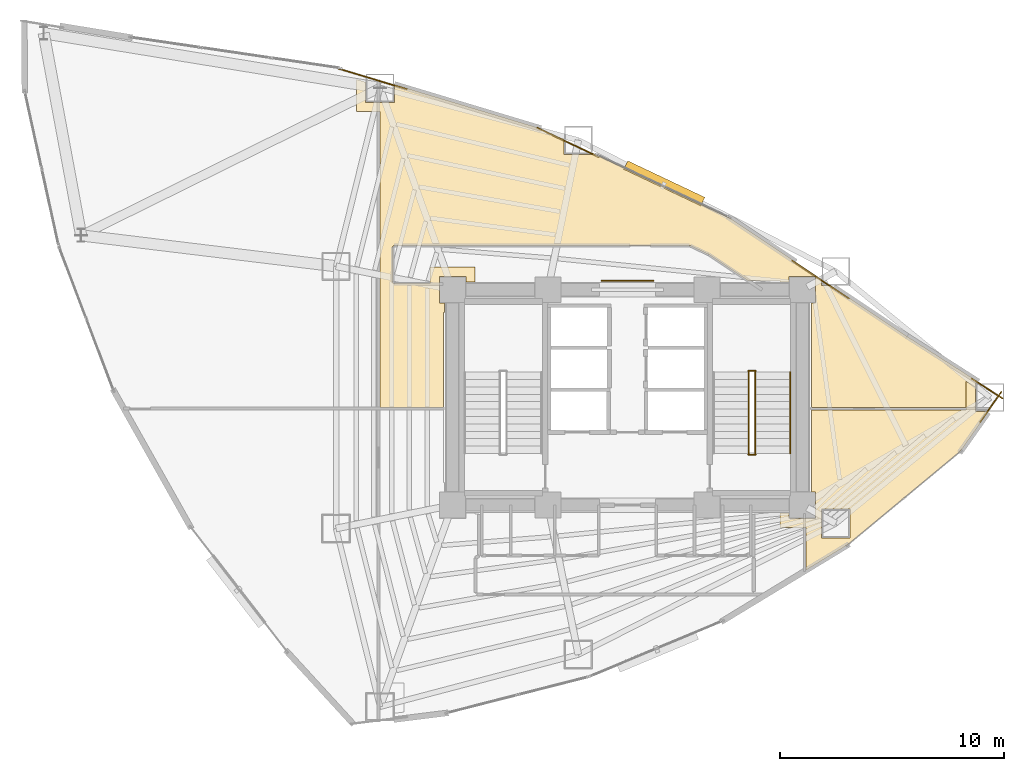
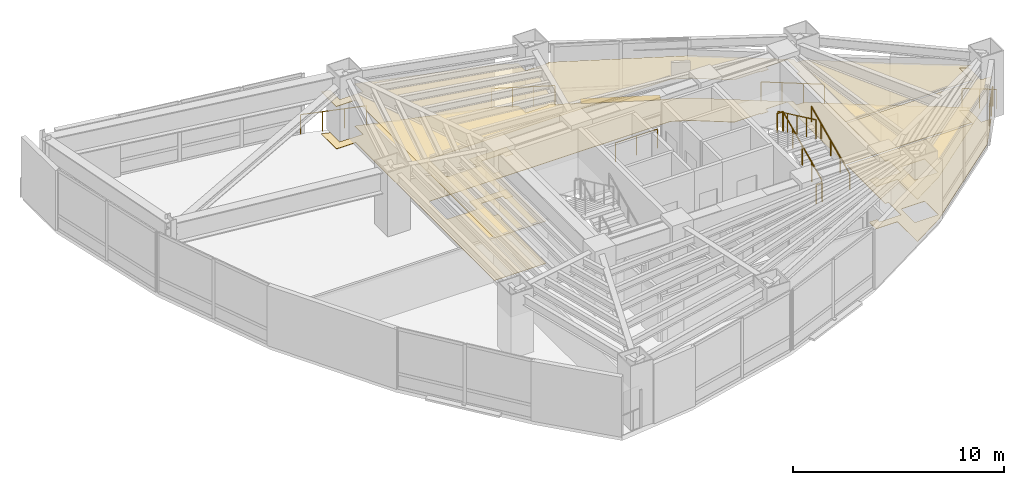
# One storey, part 23 of 23: 11 railings, 4 coverings, 1 shading device.
"""IFC4 building model written with IfcOpenShell, lengths in metres."""

from ifc_helpers import new_model, si_unit, direction, frame, origin, origin_2d, place, context, subcontext, project, spatial, polyline, rectangle, circle, outline, extrude, material, layer, layer_set, type_object, element, save


model = new_model("IFC4")

# Units and contexts
model_context = context("Model", 3, precision=1e-05, world=origin(), true_north=direction((0.0, 1.0)))
body_context = subcontext(model_context, "Body", "Model", "MODEL_VIEW")
ifc_project = project(units=[si_unit("LENGTHUNIT", "METRE"), si_unit("AREAUNIT", "SQUARE_METRE"), si_unit("VOLUMEUNIT", "CUBIC_METRE"), si_unit("PLANEANGLEUNIT", "RADIAN"), si_unit("MASSUNIT", "GRAM", prefix="KILO")], contexts=[model_context])

# Site, building, storey
site_placement = place(None, origin())
site = spatial("IfcSite", under=ifc_project, at=site_placement, CompositionType="ELEMENT")
building_placement = place(site_placement, origin())
building = spatial("IfcBuilding", under=site, at=building_placement, Name="Menara Vayukalpa", CompositionType="ELEMENT")
storey_placement = place(building_placement, frame((0.0, 0.0, 103.97998046875)))
storey = spatial("IfcBuildingStorey", under=building, at=storey_placement, Name="L25", CompositionType="ELEMENT", Elevation=103.97998046875)

# Coverings
ifc_material_1 = material(Name="Mineral Fibre Acoustic Ceiling Tile", Category="masonry")
ifc_layer_1 = layer(ifc_material_1, 0.02490234375)
ifc_layer_set_1 = layer_set([ifc_layer_1], Name="Mineral Fibre Acoustic Ceiling Tile")
covering_type_1 = type_object("IfcCoveringType", Name="COV-CLG1", PredefinedType="CEILING", material=ifc_layer_set_1)
covering_1_placement = place(storey_placement, frame((0.0, 0.0, 2.449951171875)))
element("IfcCovering", 1, at=covering_1_placement, inside=storey, type_object=covering_type_1, Name="L25 Executive Office Suite Acoustic Ceiling", PredefinedType="CEILING", context=body_context, shape_type="SweptSolid", body=[
    extrude(outline(polyline([(32.389892578125, 16.85009765625), (32.81005859375, 16.85009765625), (32.81005859375, 16.610107421875), (33.989990234375, 16.610107421875), (33.989990234375, 17.7900390625), (33.81005859375, 17.7900390625), (33.81005859375, 21.429931640625), (33.81005859375, 21.430908203125), (33.810302734375, 21.431884765625), (33.810302734375, 21.432861328125), (33.810791015625, 21.433837890625), (33.811279296875, 21.434814453125), (33.811767578125, 21.435546875), (33.812255859375, 21.436279296875), (33.81298828125, 21.43701171875), (33.813720703125, 21.437744140625), (33.814453125, 21.438232421875), (33.815185546875, 21.438720703125), (33.816162109375, 21.439208984375), (33.817138671875, 21.439697265625), (33.818115234375, 21.439697265625), (33.819091796875, 21.43994140625), (33.820068359375, 21.43994140625), (40.701904296875, 21.43994140625), (40.701904296875, 22.716796875), (41.121826171875, 22.44873046875), (41.121826171875, 21.360107421875), (41.6904296875, 21.360107421875), (40.461181640625, 19.6201171875), (40.46044921875, 19.619384765625), (40.4599609375, 19.618896484375), (40.459228515625, 19.618408203125), (35.380859375, 15.40673828125), (35.379638671875, 15.406005859375), (33.5751953125, 14.309814453125), (33.57421875, 14.309326171875), (33.573486328125, 14.308837890625), (33.572509765625, 14.30859375), (33.571533203125, 14.308349609375), (33.570556640625, 14.308349609375), (33.569580078125, 14.308349609375), (33.568603515625, 14.308349609375), (33.56787109375, 14.30859375), (33.56689453125, 14.308837890625), (33.56591796875, 14.30908203125), (33.565185546875, 14.3095703125), (33.564208984375, 14.31005859375), (33.5634765625, 14.310791015625), (33.562744140625, 14.311279296875), (33.562255859375, 14.31201171875), (33.5615234375, 14.312744140625), (33.56103515625, 14.313720703125), (33.560791015625, 14.314453125), (33.560302734375, 14.3154296875), (33.560302734375, 14.31640625), (33.56005859375, 14.3173828125), (33.56005859375, 14.318359375), (33.56005859375, 16.18994140625), (32.389892578125, 16.18994140625), (32.389892578125, 16.85009765625)]), holes=[polyline([(35.52685546875, 17.018310546875), (34.246826171875, 17.018310546875), (34.246826171875, 15.73828125), (35.52685546875, 15.73828125), (35.52685546875, 17.018310546875)])]), origin(), (0.0, 0.0, 1.0), 0.025146484375),
])
covering_2_placement = place(storey_placement, frame((0.0, 0.0, 2.449951171875)))
element("IfcCovering", 2, at=covering_2_placement, inside=storey, type_object=covering_type_1, Name="L25 Executive Office Suite Acoustic Ceiling", PredefinedType="CEILING", context=body_context, shape_type="SweptSolid", body=[
    extrude(outline(polyline([(40.701904296875, 20.93994140625), (40.701904296875, 21.56005859375), (33.820068359375, 21.56005859375), (33.819091796875, 21.56005859375), (33.818115234375, 21.560302734375), (33.817138671875, 21.560302734375), (33.816162109375, 21.560791015625), (33.815185546875, 21.561279296875), (33.814453125, 21.561767578125), (33.813720703125, 21.562255859375), (33.81298828125, 21.56298828125), (33.812255859375, 21.563720703125), (33.811767578125, 21.564453125), (33.811279296875, 21.565185546875), (33.810791015625, 21.566162109375), (33.810302734375, 21.567138671875), (33.810302734375, 21.568115234375), (33.81005859375, 21.569091796875), (33.81005859375, 21.570068359375), (33.81005859375, 26.2099609375), (33.989990234375, 26.2099609375), (33.989990234375, 27.389892578125), (32.81005859375, 27.389892578125), (32.81005859375, 27.14990234375), (32.389892578125, 27.14990234375), (32.389892578125, 27.2099609375), (30.968994140625, 27.2099609375), (30.968017578125, 27.2099609375), (30.96728515625, 27.210205078125), (30.96630859375, 27.21044921875), (30.96533203125, 27.210693359375), (30.96435546875, 27.211181640625), (30.96337890625, 27.211669921875), (29.236572265625, 28.364501953125), (29.22705078125, 28.369873046875), (28.396240234375, 28.76318359375), (28.390380859375, 28.765625), (28.384521484375, 28.767578125), (28.37841796875, 28.768798828125), (28.372314453125, 28.769775390625), (28.365966796875, 28.77001953125), (15.2001953125, 28.77001953125), (15.193115234375, 28.76953125), (15.186279296875, 28.768798828125), (15.1796875, 28.76708984375), (15.173095703125, 28.7646484375), (15.1669921875, 28.76171875), (15.1611328125, 28.75830078125), (15.155517578125, 28.75390625), (15.150390625, 28.74951171875), (15.14599609375, 28.744384765625), (15.141845703125, 28.73876953125), (15.13818359375, 28.73291015625), (15.13525390625, 28.726806640625), (15.133056640625, 28.72021484375), (15.13134765625, 28.713623046875), (15.13037109375, 28.706787109375), (15.1298828125, 28.69970703125), (15.1298828125, 27.140380859375), (15.13037109375, 27.13330078125), (15.13134765625, 27.126220703125), (15.133056640625, 27.11962890625), (15.13525390625, 27.11328125), (15.13818359375, 27.10693359375), (15.141845703125, 27.101318359375), (15.14599609375, 27.095458984375), (15.150390625, 27.090576171875), (15.155517578125, 27.0859375), (15.1611328125, 27.081787109375), (15.1669921875, 27.078125), (15.173095703125, 27.0751953125), (15.1796875, 27.072998046875), (15.186279296875, 27.0712890625), (15.193115234375, 27.0703125), (15.2001953125, 27.070068359375), (16.7900390625, 27.070068359375), (16.7900390625, 27.81005859375), (18.81005859375, 27.81005859375), (18.81005859375, 27.14990234375), (18.389892578125, 27.14990234375), (18.389892578125, 27.389892578125), (17.2099609375, 27.389892578125), (17.2099609375, 26.2099609375), (17.449951171875, 26.2099609375), (17.449951171875, 25.7900390625), (17.389892578125, 25.7900390625), (17.389892578125, 21.570068359375), (17.389892578125, 21.569091796875), (17.389892578125, 21.568115234375), (17.3896484375, 21.567138671875), (17.38916015625, 21.566162109375), (17.388916015625, 21.565185546875), (17.38818359375, 21.564453125), (17.3876953125, 21.563720703125), (17.38720703125, 21.56298828125), (17.38623046875, 21.562255859375), (17.385498046875, 21.561767578125), (17.384765625, 21.561279296875), (17.3837890625, 21.560791015625), (17.3828125, 21.560302734375), (17.382080078125, 21.560302734375), (17.381103515625, 21.56005859375), (17.3798828125, 21.56005859375), (14.570068359375, 21.56005859375), (14.569091796875, 21.56005859375), (14.568115234375, 21.560302734375), (14.567138671875, 21.560302734375), (14.566162109375, 21.560791015625), (14.565185546875, 21.561279296875), (14.564453125, 21.561767578125), (14.563720703125, 21.562255859375), (14.56298828125, 21.56298828125), (14.562255859375, 21.563720703125), (14.561767578125, 21.564453125), (14.561279296875, 21.565185546875), (14.560791015625, 21.566162109375), (14.560302734375, 21.567138671875), (14.560302734375, 21.568115234375), (14.56005859375, 21.569091796875), (14.56005859375, 21.570068359375), (14.56005859375, 34.7373046875), (13.509033203125, 34.7373046875), (13.509033203125, 36.178955078125), (13.92919921875, 36.052490234375), (13.92919921875, 35.157470703125), (15.208984375, 35.157470703125), (15.208984375, 35.94921875), (21.740966796875, 33.982666015625), (21.74169921875, 33.982421875), (21.742431640625, 33.982177734375), (22.768310546875, 33.49658203125), (22.768310546875, 32.827392578125), (24.048095703125, 32.827392578125), (24.048095703125, 32.890625), (30.155517578125, 29.999267578125), (30.156982421875, 29.99853515625), (34.246826171875, 27.268310546875), (34.246826171875, 26.981689453125), (34.67626953125, 26.981689453125), (38.0712890625, 24.71533203125), (38.072021484375, 24.71484375), (38.072265625, 24.714599609375), (41.32421875, 22.639892578125), (41.121826171875, 22.639892578125), (41.121826171875, 21.360107421875), (41.35986328125, 21.360107421875), (41.06298828125, 20.93994140625), (40.701904296875, 20.93994140625)])), origin(), (0.0, 0.0, 1.0), 0.025146484375),
])
ifc_material_2 = material(Name="Porcelain Stoneware Floor Tile", Category="masonry")
ifc_layer_2 = layer(ifc_material_2, 0.02001953125)
ifc_layer_set_2 = layer_set([ifc_layer_2], Name="Porcelain Stoneware Floor Tile")
covering_type_2 = type_object("IfcCoveringType", Name="COV-FLR1", PredefinedType="FLOORING", material=ifc_layer_set_2)
covering_3_placement = place(storey_placement, origin())
element("IfcCovering", 3, at=covering_3_placement, inside=storey, type_object=covering_type_2, Name="L25 Executive Office Suite Porcelain Flooring", PredefinedType="FLOORING", context=body_context, shape_type="SweptSolid", body=[
    extrude(outline(polyline([(32.389892578125, 16.85009765625), (32.81005859375, 16.85009765625), (32.81005859375, 16.610107421875), (33.989990234375, 16.610107421875), (33.989990234375, 17.7900390625), (33.81005859375, 17.7900390625), (33.81005859375, 21.429931640625), (33.81005859375, 21.430908203125), (33.810302734375, 21.431884765625), (33.810302734375, 21.432861328125), (33.810791015625, 21.433837890625), (33.811279296875, 21.434814453125), (33.811767578125, 21.435546875), (33.812255859375, 21.436279296875), (33.81298828125, 21.43701171875), (33.813720703125, 21.437744140625), (33.814453125, 21.438232421875), (33.815185546875, 21.438720703125), (33.816162109375, 21.439208984375), (33.817138671875, 21.439697265625), (33.818115234375, 21.439697265625), (33.819091796875, 21.43994140625), (33.820068359375, 21.43994140625), (40.701904296875, 21.43994140625), (40.701904296875, 22.716796875), (41.121826171875, 22.44873046875), (41.121826171875, 21.360107421875), (41.6904296875, 21.360107421875), (40.461181640625, 19.6201171875), (40.46044921875, 19.619384765625), (40.4599609375, 19.618896484375), (40.459228515625, 19.618408203125), (35.380859375, 15.40673828125), (35.379638671875, 15.406005859375), (33.5751953125, 14.309814453125), (33.57421875, 14.309326171875), (33.573486328125, 14.308837890625), (33.572509765625, 14.30859375), (33.571533203125, 14.308349609375), (33.570556640625, 14.308349609375), (33.569580078125, 14.308349609375), (33.568603515625, 14.308349609375), (33.56787109375, 14.30859375), (33.56689453125, 14.308837890625), (33.56591796875, 14.30908203125), (33.565185546875, 14.3095703125), (33.564208984375, 14.31005859375), (33.5634765625, 14.310791015625), (33.562744140625, 14.311279296875), (33.562255859375, 14.31201171875), (33.5615234375, 14.312744140625), (33.56103515625, 14.313720703125), (33.560791015625, 14.314453125), (33.560302734375, 14.3154296875), (33.560302734375, 14.31640625), (33.56005859375, 14.3173828125), (33.56005859375, 14.318359375), (33.56005859375, 16.18994140625), (32.389892578125, 16.18994140625), (32.389892578125, 16.85009765625)]), holes=[polyline([(35.52685546875, 17.018310546875), (34.246826171875, 17.018310546875), (34.246826171875, 15.73828125), (35.52685546875, 15.73828125), (35.52685546875, 17.018310546875)])]), origin(), (0.0, 0.0, 1.0), 0.02001953125),
])
covering_4_placement = place(storey_placement, origin())
element("IfcCovering", 4, at=covering_4_placement, inside=storey, type_object=covering_type_2, Name="L25 Executive Office Suite Porcelain Flooring", PredefinedType="FLOORING", context=body_context, shape_type="SweptSolid", body=[
    extrude(outline(polyline([(40.701904296875, 20.93994140625), (40.701904296875, 21.56005859375), (33.820068359375, 21.56005859375), (33.819091796875, 21.56005859375), (33.818115234375, 21.560302734375), (33.817138671875, 21.560302734375), (33.816162109375, 21.560791015625), (33.815185546875, 21.561279296875), (33.814453125, 21.561767578125), (33.813720703125, 21.562255859375), (33.81298828125, 21.56298828125), (33.812255859375, 21.563720703125), (33.811767578125, 21.564453125), (33.811279296875, 21.565185546875), (33.810791015625, 21.566162109375), (33.810302734375, 21.567138671875), (33.810302734375, 21.568115234375), (33.81005859375, 21.569091796875), (33.81005859375, 21.570068359375), (33.81005859375, 26.2099609375), (33.989990234375, 26.2099609375), (33.989990234375, 27.389892578125), (32.81005859375, 27.389892578125), (32.81005859375, 27.14990234375), (32.389892578125, 27.14990234375), (32.389892578125, 27.2099609375), (30.968994140625, 27.2099609375), (30.968017578125, 27.2099609375), (30.96728515625, 27.210205078125), (30.96630859375, 27.21044921875), (30.96533203125, 27.210693359375), (30.96435546875, 27.211181640625), (30.96337890625, 27.211669921875), (29.236572265625, 28.364501953125), (29.22705078125, 28.369873046875), (28.396240234375, 28.76318359375), (28.390380859375, 28.765625), (28.384521484375, 28.767578125), (28.37841796875, 28.768798828125), (28.372314453125, 28.769775390625), (28.365966796875, 28.77001953125), (15.2001953125, 28.77001953125), (15.193115234375, 28.76953125), (15.186279296875, 28.768798828125), (15.1796875, 28.76708984375), (15.173095703125, 28.7646484375), (15.1669921875, 28.76171875), (15.1611328125, 28.75830078125), (15.155517578125, 28.75390625), (15.150390625, 28.74951171875), (15.14599609375, 28.744384765625), (15.141845703125, 28.73876953125), (15.13818359375, 28.73291015625), (15.13525390625, 28.726806640625), (15.133056640625, 28.72021484375), (15.13134765625, 28.713623046875), (15.13037109375, 28.706787109375), (15.1298828125, 28.69970703125), (15.1298828125, 27.140380859375), (15.13037109375, 27.13330078125), (15.13134765625, 27.126220703125), (15.133056640625, 27.11962890625), (15.13525390625, 27.11328125), (15.13818359375, 27.10693359375), (15.141845703125, 27.101318359375), (15.14599609375, 27.095458984375), (15.150390625, 27.090576171875), (15.155517578125, 27.0859375), (15.1611328125, 27.081787109375), (15.1669921875, 27.078125), (15.173095703125, 27.0751953125), (15.1796875, 27.072998046875), (15.186279296875, 27.0712890625), (15.193115234375, 27.0703125), (15.2001953125, 27.070068359375), (16.7900390625, 27.070068359375), (16.7900390625, 27.81005859375), (18.81005859375, 27.81005859375), (18.81005859375, 27.14990234375), (18.389892578125, 27.14990234375), (18.389892578125, 27.389892578125), (17.2099609375, 27.389892578125), (17.2099609375, 26.2099609375), (17.449951171875, 26.2099609375), (17.449951171875, 25.7900390625), (17.389892578125, 25.7900390625), (17.389892578125, 21.570068359375), (17.389892578125, 21.569091796875), (17.389892578125, 21.568115234375), (17.3896484375, 21.567138671875), (17.38916015625, 21.566162109375), (17.388916015625, 21.565185546875), (17.38818359375, 21.564453125), (17.3876953125, 21.563720703125), (17.38720703125, 21.56298828125), (17.38623046875, 21.562255859375), (17.385498046875, 21.561767578125), (17.384765625, 21.561279296875), (17.3837890625, 21.560791015625), (17.3828125, 21.560302734375), (17.382080078125, 21.560302734375), (17.381103515625, 21.56005859375), (17.3798828125, 21.56005859375), (14.570068359375, 21.56005859375), (14.569091796875, 21.56005859375), (14.568115234375, 21.560302734375), (14.567138671875, 21.560302734375), (14.566162109375, 21.560791015625), (14.565185546875, 21.561279296875), (14.564453125, 21.561767578125), (14.563720703125, 21.562255859375), (14.56298828125, 21.56298828125), (14.562255859375, 21.563720703125), (14.561767578125, 21.564453125), (14.561279296875, 21.565185546875), (14.560791015625, 21.566162109375), (14.560302734375, 21.567138671875), (14.560302734375, 21.568115234375), (14.56005859375, 21.569091796875), (14.56005859375, 21.570068359375), (14.56005859375, 34.7373046875), (13.509033203125, 34.7373046875), (13.509033203125, 36.178955078125), (13.92919921875, 36.052490234375), (13.92919921875, 35.157470703125), (15.208984375, 35.157470703125), (15.208984375, 35.94921875), (21.740966796875, 33.982666015625), (21.74169921875, 33.982421875), (21.742431640625, 33.982177734375), (22.768310546875, 33.49658203125), (22.768310546875, 32.827392578125), (24.048095703125, 32.827392578125), (24.048095703125, 32.890625), (30.155517578125, 29.999267578125), (30.156982421875, 29.99853515625), (34.246826171875, 27.268310546875), (34.246826171875, 26.981689453125), (34.67626953125, 26.981689453125), (38.0712890625, 24.71533203125), (38.072021484375, 24.71484375), (38.072265625, 24.714599609375), (41.32421875, 22.639892578125), (41.121826171875, 22.639892578125), (41.121826171875, 21.360107421875), (41.35986328125, 21.360107421875), (41.06298828125, 20.93994140625), (40.701904296875, 20.93994140625)])), origin(), (0.0, 0.0, 1.0), 0.02001953125),
])

# Railings
ifc_material_3 = material(Name="Laminated Glass Interior Balustrade", Category="glass")
railing_type_1 = type_object("IfcRailingType", Name="RLG-BAL110", PredefinedType="BALUSTRADE", material=ifc_material_3)
railing_1_placement = place(storey_placement, frame((24.449951171875, 27.199951171875, 0.0)))
element("IfcRailing", 5, at=railing_1_placement, inside=storey, type_object=railing_type_1, Name="L25 Concourse Feature Glass Balustrade", PredefinedType="BALUSTRADE", context=body_context, shape_type="SweptSolid", body=[
    extrude(circle(Radius=0.02392578125, at=origin_2d()), frame((0.0, 0.0, 1.09619140625), z_axis=(1.0, 0.0, 0.0), x_axis=(0.0, 1.0, 0.0)), (0.0, 0.0, 1.0), 2.300048828125),
    extrude(circle(Radius=0.02099609375, at=origin_2d()), origin(), (0.0, 0.0, 1.0), 1.072021484375),
    extrude(circle(Radius=0.02099609375, at=origin_2d()), frame((1.14990234375, 0.0, 0.0)), (0.0, 0.0, 1.0), 1.072021484375),
    extrude(circle(Radius=0.02099609375, at=origin_2d()), frame((2.300048828125, 0.0, 0.0)), (0.0, 0.0, 1.0), 1.072021484375),
])
ifc_material_4 = material(Name="Laminated Glass and Stainless Steel 316 Guardrail", Category="steel")
railing_type_2 = type_object("IfcRailingType", Name="RLG-EXT115", PredefinedType="GUARDRAIL", material=ifc_material_4)
railing_2_placement = place(storey_placement, frame((41.322509765625, 20.908447265625, 0.0)))
element("IfcRailing", 6, at=railing_2_placement, inside=storey, type_object=railing_type_2, Name="L25 Column Corner Spandrel Guardrail 01-1", PredefinedType="GUARDRAIL", context=body_context, shape_type="SweptSolid", body=[
    extrude(circle(Radius=0.02392578125, at=origin_2d()), frame((0.0, 0.0, 1.1259765625), z_axis=(0.577005689329, 0.816740126651, 0.0), x_axis=(-0.816740126651, 0.577005689329, 0.0)), (0.0, 0.0, 1.0), 1.634521484375),
    extrude(circle(Radius=0.02099609375, at=origin_2d()), origin(), (0.0, 0.0, 1.0), 1.101806640625),
    extrude(circle(Radius=0.02099609375, at=origin_2d()), frame((0.4716796875, 0.66748046875, 0.0)), (0.0, 0.0, 1.0), 1.101806640625),
    extrude(circle(Radius=0.02099609375, at=origin_2d()), frame((0.943115234375, 1.3349609375, 0.0)), (0.0, 0.0, 1.0), 1.101806640625),
])
railing_3_placement = place(storey_placement, frame((42.322265625, 21.955810546875, 0.0)))
element("IfcRailing", 7, at=railing_3_placement, inside=storey, type_object=railing_type_2, Name="L25 Column Corner Spandrel Guardrail 02-1", PredefinedType="GUARDRAIL", context=body_context, shape_type="SweptSolid", body=[
    extrude(circle(Radius=0.02392578125, at=origin_2d()), frame((0.0, 0.0, 1.1259765625), z_axis=(-0.843072907212, 0.537799287025, 0.0), x_axis=(-0.537799287025, -0.843072907212, 0.0)), (0.0, 0.0, 1.0), 1.64111328125),
    extrude(circle(Radius=0.02099609375, at=origin_2d()), origin(), (0.0, 0.0, 1.0), 1.101806640625),
    extrude(circle(Radius=0.02099609375, at=origin_2d()), frame((-0.69189453125, 0.44140625, 0.0)), (0.0, 0.0, 1.0), 1.101806640625),
    extrude(circle(Radius=0.02099609375, at=origin_2d()), frame((-1.383544921875, 0.882568359375, 0.0)), (0.0, 0.0, 1.0), 1.101806640625),
])
railing_4_placement = place(storey_placement, frame((35.45654296875, 26.412841796875, 0.0)))
element("IfcRailing", 8, at=railing_4_placement, inside=storey, type_object=railing_type_2, Name="L25 Column Corner Spandrel Guardrail 03-1", PredefinedType="GUARDRAIL", context=body_context, shape_type="SweptSolid", body=[
    extrude(circle(Radius=0.02392578125, at=origin_2d()), frame((0.0, 0.0, 1.1259765625), z_axis=(-0.831751720717, 0.555147795713, 0.0), x_axis=(-0.555147795713, -0.831751720717, 0.0)), (0.0, 0.0, 1.0), 3.020263671875),
    extrude(circle(Radius=0.02099609375, at=origin_2d()), origin(), (0.0, 0.0, 1.0), 1.101806640625),
    extrude(circle(Radius=0.02099609375, at=origin_2d()), frame((-0.83740234375, 0.558837890625, 0.0)), (0.0, 0.0, 1.0), 1.101806640625),
    extrude(circle(Radius=0.02099609375, at=origin_2d()), frame((-1.6748046875, 1.117919921875, 0.0)), (0.0, 0.0, 1.0), 1.101806640625),
    extrude(circle(Radius=0.02099609375, at=origin_2d()), frame((-2.51220703125, 1.6767578125, 0.0)), (0.0, 0.0, 1.0), 1.101806640625),
])
railing_5_placement = place(storey_placement, frame((24.320068359375, 32.717529296875, 0.0)))
element("IfcRailing", 9, at=railing_5_placement, inside=storey, type_object=railing_type_2, Name="L25 Column Corner Spandrel Guardrail 04-1", PredefinedType="GUARDRAIL", context=body_context, shape_type="SweptSolid", body=[
    extrude(circle(Radius=0.02392578125, at=origin_2d()), frame((0.0, 0.0, 1.1259765625), z_axis=(-0.903818151979, 0.427916753765, 0.0), x_axis=(-0.427916753765, -0.903818151979, 0.0)), (0.0, 0.0, 1.0), 3.032470703125),
    extrude(circle(Radius=0.02099609375, at=origin_2d()), origin(), (0.0, 0.0, 1.0), 1.101806640625),
    extrude(circle(Radius=0.02099609375, at=origin_2d()), frame((-0.91357421875, 0.4326171875, 0.0)), (0.0, 0.0, 1.0), 1.101806640625),
    extrude(circle(Radius=0.02099609375, at=origin_2d()), frame((-1.8271484375, 0.864990234375, 0.0)), (0.0, 0.0, 1.0), 1.101806640625),
    extrude(circle(Radius=0.02099609375, at=origin_2d()), frame((-2.74072265625, 1.297607421875, 0.0)), (0.0, 0.0, 1.0), 1.101806640625),
])
railing_6_placement = place(storey_placement, frame((15.7490234375, 35.744873046875, 0.0)))
element("IfcRailing", 10, at=railing_6_placement, inside=storey, type_object=railing_type_2, Name="L25 Column Corner Spandrel Guardrail 05-1", PredefinedType="GUARDRAIL", context=body_context, shape_type="SweptSolid", body=[
    extrude(circle(Radius=0.02392578125, at=origin_2d()), frame((0.0, 0.0, 1.1259765625), z_axis=(-0.957550754701, 0.288264725854, 0.0), x_axis=(-0.288264725854, -0.957550754701, 0.0)), (0.0, 0.0, 1.0), 3.224365234375),
    extrude(circle(Radius=0.02099609375, at=origin_2d()), origin(), (0.0, 0.0, 1.0), 1.101806640625),
    extrude(circle(Radius=0.02099609375, at=origin_2d()), frame((-1.029052734375, 0.309814453125, 0.0)), (0.0, 0.0, 1.0), 1.101806640625),
    extrude(circle(Radius=0.02099609375, at=origin_2d()), frame((-2.058349609375, 0.61962890625, 0.0)), (0.0, 0.0, 1.0), 1.101806640625),
    extrude(circle(Radius=0.02099609375, at=origin_2d()), frame((-3.08740234375, 0.929443359375, 0.0)), (0.0, 0.0, 1.0), 1.101806640625),
])
ifc_material_5 = material(Name="Powder-Coated Galvanised Steel Guardrail", Category="steel")
railing_type_3 = type_object("IfcRailingType", Name="RLG-STG110", PredefinedType="GUARDRAIL", material=ifc_material_5)
railing_7_placement = place(storey_placement, frame((31.300048828125, 19.5, 0.155029296875)))
element("IfcRailing", 11, at=railing_7_placement, inside=storey, type_object=railing_type_3, Name="L25 ST-2 stair guard 1", PredefinedType="GUARDRAIL", context=body_context, shape_type="SweptSolid", body=[
    extrude(circle(Radius=0.02392578125, at=origin_2d()), frame((0.0, 0.0, 1.09619140625), z_axis=(0.0, 0.90511648382, 0.425163675209), x_axis=(-1.0, 0.0, 0.0)), (0.0, 0.0, 1.0), 4.010498046875),
    extrude(circle(Radius=0.02099609375, at=origin_2d()), origin(), (0.0, 0.0, 1.0), 1.072021484375),
    extrude(circle(Radius=0.02099609375, at=origin_2d()), frame((0.0, 0.907470703125, 0.42626953125)), (0.0, 0.0, 1.0), 1.072021484375),
    extrude(circle(Radius=0.02099609375, at=origin_2d()), frame((0.0, 1.81494140625, 0.8525390625)), (0.0, 0.0, 1.0), 1.072021484375),
    extrude(circle(Radius=0.02099609375, at=origin_2d()), frame((0.0, 2.722412109375, 1.27880859375)), (0.0, 0.0, 1.0), 1.072021484375),
    extrude(circle(Radius=0.02099609375, at=origin_2d()), frame((0.0, 3.6298828125, 1.705078125)), (0.0, 0.0, 1.0), 1.072021484375),
])
railing_8_placement = place(storey_placement, frame((31.31005859375, 23.179931640625, 1.860107421875)))
element("IfcRailing", 12, at=railing_8_placement, inside=storey, type_object=railing_type_3, Name="L25 ST-2 stair guard 2", PredefinedType="GUARDRAIL", context=body_context, shape_type="SweptSolid", body=[
    extrude(circle(Radius=0.02392578125, at=origin_2d()), frame((0.0, 0.0, 1.09619140625), z_axis=(-1.0, 0.0, 0.0), x_axis=(0.0, -1.0, 0.0)), (0.0, 0.0, 1.0), 0.320068359375),
    extrude(circle(Radius=0.02099609375, at=origin_2d()), origin(), (0.0, 0.0, 1.0), 1.072021484375),
    extrude(circle(Radius=0.02099609375, at=origin_2d()), frame((-0.320068359375, 0.0, 0.0)), (0.0, 0.0, 1.0), 1.072021484375),
])
railing_9_placement = place(storey_placement, frame((31.0, 23.1298828125, 2.01513671875)))
element("IfcRailing", 13, at=railing_9_placement, inside=storey, type_object=railing_type_3, Name="L25 ST-2 stair guard 3", PredefinedType="GUARDRAIL", context=body_context, shape_type="SweptSolid", body=[
    extrude(circle(Radius=0.02392578125, at=origin_2d()), frame((0.0, 0.0, 1.09619140625), z_axis=(0.0, -0.90513990983, 0.425113800803), x_axis=(1.0, 0.0, 0.0)), (0.0, 0.0, 1.0), 4.01025390625),
    extrude(circle(Radius=0.02099609375, at=origin_2d()), origin(), (0.0, 0.0, 1.0), 1.072021484375),
    extrude(circle(Radius=0.02099609375, at=origin_2d()), frame((0.0, -0.907470703125, 0.42626953125)), (0.0, 0.0, 1.0), 1.072021484375),
    extrude(circle(Radius=0.02099609375, at=origin_2d()), frame((0.0, -1.81494140625, 0.8525390625)), (0.0, 0.0, 1.0), 1.072021484375),
    extrude(circle(Radius=0.02099609375, at=origin_2d()), frame((0.0, -2.722412109375, 1.278564453125)), (0.0, 0.0, 1.0), 1.072021484375),
    extrude(circle(Radius=0.02099609375, at=origin_2d()), frame((0.0, -3.6298828125, 1.704833984375)), (0.0, 0.0, 1.0), 1.072021484375),
])
railing_10_placement = place(storey_placement, frame((31.31005859375, 19.449951171875, 0.0)))
element("IfcRailing", 14, at=railing_10_placement, inside=storey, type_object=railing_type_3, Name="L25 ST-2 stair guard 4", PredefinedType="GUARDRAIL", context=body_context, shape_type="SweptSolid", body=[
    extrude(circle(Radius=0.02392578125, at=origin_2d()), frame((0.0, 0.0, 1.09619140625), z_axis=(-1.0, 0.0, 0.0), x_axis=(0.0, -1.0, 0.0)), (0.0, 0.0, 1.0), 0.320068359375),
    extrude(circle(Radius=0.02099609375, at=origin_2d()), origin(), (0.0, 0.0, 1.0), 1.072021484375),
    extrude(circle(Radius=0.02099609375, at=origin_2d()), frame((-0.320068359375, 0.0, 0.0)), (0.0, 0.0, 1.0), 1.072021484375),
])
ifc_material_6 = material(Name="Stainless Steel 316 Tubular Handrail", Category="steel")
railing_type_4 = type_object("IfcRailingType", Name="RLG-STH090", PredefinedType="HANDRAIL", material=ifc_material_6)
railing_11_placement = place(storey_placement, frame((32.85009765625, 19.5, 0.155029296875)))
element("IfcRailing", 15, at=railing_11_placement, inside=storey, type_object=railing_type_4, Name="L25 ST-2 stair handrail 1", PredefinedType="HANDRAIL", context=body_context, shape_type="SweptSolid", body=[
    extrude(circle(Radius=0.02392578125, at=origin_2d()), frame((0.0, 0.0, 0.8759765625), z_axis=(0.0, 0.90511648382, 0.425163675209), x_axis=(-1.0, 0.0, 0.0)), (0.0, 0.0, 1.0), 4.010498046875),
    extrude(circle(Radius=0.02099609375, at=origin_2d()), origin(), (0.0, 0.0, 1.0), 0.851806640625),
    extrude(circle(Radius=0.02099609375, at=origin_2d()), frame((0.0, 0.907470703125, 0.42626953125)), (0.0, 0.0, 1.0), 0.851806640625),
    extrude(circle(Radius=0.02099609375, at=origin_2d()), frame((0.0, 1.81494140625, 0.8525390625)), (0.0, 0.0, 1.0), 0.851806640625),
    extrude(circle(Radius=0.02099609375, at=origin_2d()), frame((0.0, 2.722412109375, 1.27880859375)), (0.0, 0.0, 1.0), 0.851806640625),
    extrude(circle(Radius=0.02099609375, at=origin_2d()), frame((0.0, 3.6298828125, 1.705078125)), (0.0, 0.0, 1.0), 0.851806640625),
])

# Shading device
ifc_material_7 = material(Name="Glazed Terracotta Ceramic Baguette Extrusion", Category="masonry")
ifc_layer_3 = layer(ifc_material_7, 0.1201171875)
ifc_layer_set_3 = layer_set([ifc_layer_3], Name="Glazed Terracotta Ceramic Baguette Extrusion")
shading_device_type = type_object("IfcShadingDeviceType", Name="SHD-SS1", PredefinedType="USERDEFINED", material=ifc_layer_set_3)
shading_device_placement = place(storey_placement, frame((27.239013671875, 31.5458984375, -0.10009765625), z_axis=(0.0, 0.0, 1.0), x_axis=(-0.90383625926, 0.427878506643, 0.0)))
element("IfcShadingDevice", 16, at=shading_device_placement, inside=storey, type_object=shading_device_type, Name="L25 Horizontal Terracotta Sunshade Band 05", ObjectType="SUNSHADE", PredefinedType="USERDEFINED", context=body_context, shape_type="SweptSolid", body=[
    extrude(rectangle(XDim=3.800048828125, YDim=0.419921875, at=origin_2d()), origin(), (0.0, 0.0, 1.0), 0.1201171875),
])

save(model, "model.ifc")
